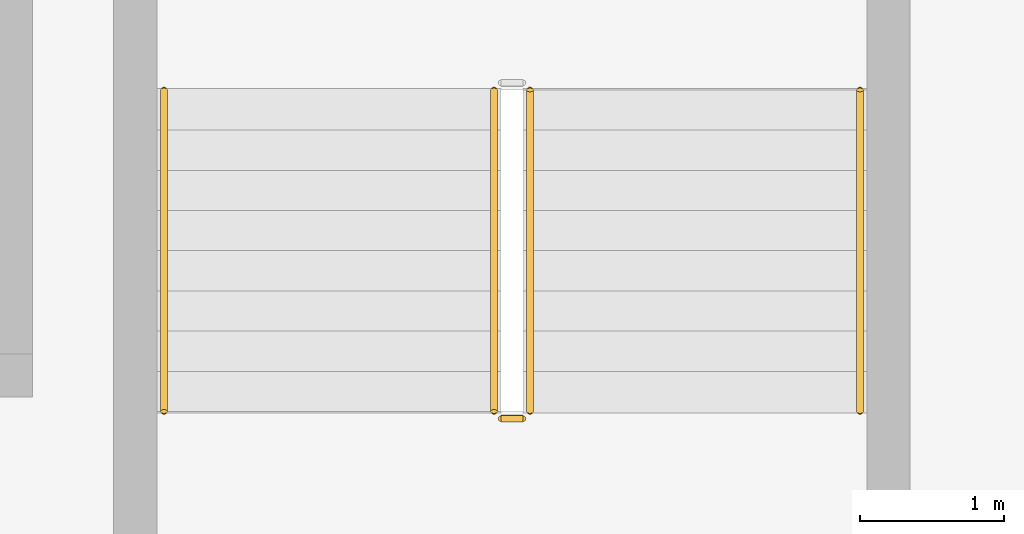
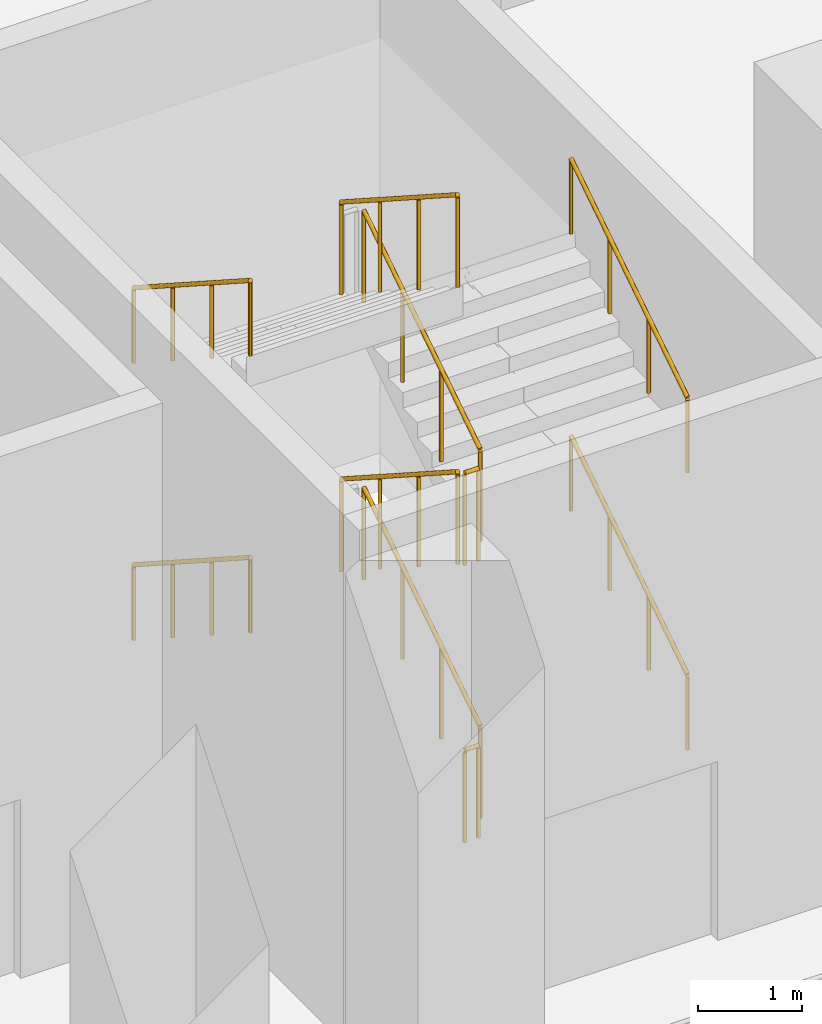
# One storey, part 27 of 30: 10 railings.
"""IFC4 building model written with IfcOpenShell, lengths in metres."""

from ifc_helpers import new_model, si_unit, direction, frame, origin, origin_2d, place, context, subcontext, project, spatial, circle, extrude, material, type_object, element, save


model = new_model("IFC4")

# Units and contexts
model_context = context("Model", 3, precision=1e-05, world=origin(), true_north=direction((0.0, 1.0)))
body_context = subcontext(model_context, "Body", "Model", "MODEL_VIEW")
ifc_project = project(units=[si_unit("LENGTHUNIT", "METRE"), si_unit("AREAUNIT", "SQUARE_METRE"), si_unit("VOLUMEUNIT", "CUBIC_METRE"), si_unit("PLANEANGLEUNIT", "RADIAN"), si_unit("MASSUNIT", "GRAM", prefix="KILO")], contexts=[model_context])

# Site, building, storey
site_placement = place(None, origin())
site = spatial("IfcSite", under=ifc_project, at=site_placement, CompositionType="ELEMENT")
building_placement = place(site_placement, origin())
building = spatial("IfcBuilding", under=site, at=building_placement, Name="Wharfspan Tower", CompositionType="ELEMENT")
storey_placement = place(building_placement, frame((0.0, 0.0, 15.0)))
storey = spatial("IfcBuildingStorey", under=building, at=storey_placement, Name="L02", CompositionType="ELEMENT", Elevation=15.0)

# Railings
ifc_material = material(Name="Steel S355J2", Category="steel")
railing_type_1 = type_object("IfcRailingType", Name="Podium guard 1100", PredefinedType="GUARDRAIL", material=ifc_material)
railing_1_placement = place(storey_placement, frame((74.817383, 30.100098, 0.180664)))
element("IfcRailing", 1, at=railing_1_placement, inside=storey, type_object=railing_type_1, Name="L02 PS5 stair guard 1", PredefinedType="GUARDRAIL", context=body_context, shape_type="SweptSolid", body=[
    extrude(circle(Radius=0.023926, at=origin_2d()), frame((0.0, 0.0, 1.076172), z_axis=(0.0, 0.840437, 0.54191), x_axis=(-1.0, 0.0, 0.0)), (0.0, 0.0, 1.0), 2.665283),
    extrude(circle(Radius=0.020996, at=origin_2d()), origin(), (0.0, 0.0, 1.0), 1.052002),
    extrude(circle(Radius=0.020996, at=origin_2d()), frame((0.0, 0.746582, 0.481445)), (0.0, 0.0, 1.0), 1.052002),
    extrude(circle(Radius=0.020996, at=origin_2d()), frame((0.0, 1.493408, 0.962891)), (0.0, 0.0, 1.0), 1.052002),
    extrude(circle(Radius=0.020996, at=origin_2d()), frame((0.0, 2.23999, 1.444336)), (0.0, 0.0, 1.0), 1.052002),
])
railing_2_placement = place(storey_placement, frame((74.567383, 32.340088, 1.805664)))
element("IfcRailing", 2, at=railing_2_placement, inside=storey, type_object=railing_type_1, Name="L02 PS5 stair guard 3", PredefinedType="GUARDRAIL", context=body_context, shape_type="SweptSolid", body=[
    extrude(circle(Radius=0.023926, at=origin_2d()), frame((0.0, 0.0, 1.076172), z_axis=(0.0, -0.840437, 0.54191), x_axis=(1.0, 0.0, 0.0)), (0.0, 0.0, 1.0), 2.665283),
    extrude(circle(Radius=0.020996, at=origin_2d()), origin(), (0.0, 0.0, 1.0), 1.052002),
    extrude(circle(Radius=0.020996, at=origin_2d()), frame((0.0, -0.746582, 0.481445)), (0.0, 0.0, 1.0), 1.052002),
    extrude(circle(Radius=0.020996, at=origin_2d()), frame((0.0, -1.493408, 0.962891)), (0.0, 0.0, 1.0), 1.052002),
    extrude(circle(Radius=0.020996, at=origin_2d()), frame((0.0, -2.23999, 1.444336)), (0.0, 0.0, 1.0), 1.052002),
])
railing_3_placement = place(storey_placement, frame((74.767578, 30.050049, 3.25)))
element("IfcRailing", 3, at=railing_3_placement, inside=storey, type_object=railing_type_1, Name="L02 PS5 stair guard 4", PredefinedType="GUARDRAIL", context=body_context, shape_type="SweptSolid", body=[
    extrude(circle(Radius=0.023926, at=origin_2d()), frame((0.0, 0.0, 1.076172), z_axis=(-1.0, 0.0, 0.0), x_axis=(0.0, -1.0, 0.0)), (0.0, 0.0, 1.0), 0.150146),
    extrude(circle(Radius=0.020996, at=origin_2d()), origin(), (0.0, 0.0, 1.0), 1.052002),
    extrude(circle(Radius=0.020996, at=origin_2d()), frame((-0.150146, 0.0, 0.0)), (0.0, 0.0, 1.0), 1.052002),
])
railing_4_placement = place(storey_placement, frame((74.817383, 30.100098, 3.430664)))
element("IfcRailing", 4, at=railing_4_placement, inside=storey, type_object=railing_type_1, Name="L02 PS5 stair guard 5", PredefinedType="GUARDRAIL", context=body_context, shape_type="SweptSolid", body=[
    extrude(circle(Radius=0.023926, at=origin_2d()), frame((0.0, 0.0, 1.076172), z_axis=(0.0, 0.840437, 0.54191), x_axis=(-1.0, 0.0, 0.0)), (0.0, 0.0, 1.0), 2.665283),
    extrude(circle(Radius=0.020996, at=origin_2d()), origin(), (0.0, 0.0, 1.0), 1.052002),
    extrude(circle(Radius=0.020996, at=origin_2d()), frame((0.0, 0.746582, 0.481445)), (0.0, 0.0, 1.0), 1.052002),
    extrude(circle(Radius=0.020996, at=origin_2d()), frame((0.0, 1.493408, 0.962891)), (0.0, 0.0, 1.0), 1.052002),
    extrude(circle(Radius=0.020996, at=origin_2d()), frame((0.0, 2.23999, 1.444336)), (0.0, 0.0, 1.0), 1.052002),
])
railing_5_placement = place(storey_placement, frame((74.567383, 32.340088, 5.055664)))
element("IfcRailing", 5, at=railing_5_placement, inside=storey, type_object=railing_type_1, Name="L02 PS5 stair guard 7", PredefinedType="GUARDRAIL", context=body_context, shape_type="SweptSolid", body=[
    extrude(circle(Radius=0.023926, at=origin_2d()), frame((0.0, 0.0, 1.076172), z_axis=(0.0, -0.840437, 0.54191), x_axis=(1.0, 0.0, 0.0)), (0.0, 0.0, 1.0), 2.665283),
    extrude(circle(Radius=0.020996, at=origin_2d()), origin(), (0.0, 0.0, 1.0), 1.052002),
    extrude(circle(Radius=0.020996, at=origin_2d()), frame((0.0, -0.746582, 0.481445)), (0.0, 0.0, 1.0), 1.052002),
    extrude(circle(Radius=0.020996, at=origin_2d()), frame((0.0, -1.493408, 0.962891)), (0.0, 0.0, 1.0), 1.052002),
    extrude(circle(Radius=0.020996, at=origin_2d()), frame((0.0, -2.23999, 1.444336)), (0.0, 0.0, 1.0), 1.052002),
])
railing_6_placement = place(storey_placement, frame((74.767578, 30.050049, 0.0)))
element("IfcRailing", 6, at=railing_6_placement, inside=storey, type_object=railing_type_1, Name="L02 PS5 stair guard 8", PredefinedType="GUARDRAIL", context=body_context, shape_type="SweptSolid", body=[
    extrude(circle(Radius=0.023926, at=origin_2d()), frame((0.0, 0.0, 1.076172), z_axis=(-1.0, 0.0, 0.0), x_axis=(0.0, -1.0, 0.0)), (0.0, 0.0, 1.0), 0.150146),
    extrude(circle(Radius=0.020996, at=origin_2d()), origin(), (0.0, 0.0, 1.0), 1.052002),
    extrude(circle(Radius=0.020996, at=origin_2d()), frame((-0.150146, 0.0, 0.0)), (0.0, 0.0, 1.0), 1.052002),
])
railing_type_2 = type_object("IfcRailingType", Name="Podium stair handrail 900", PredefinedType="HANDRAIL", material=ifc_material)
railing_7_placement = place(storey_placement, frame((77.117432, 30.100098, 0.180664)))
element("IfcRailing", 7, at=railing_7_placement, inside=storey, type_object=railing_type_2, Name="L02 PS5 stair handrail 1", PredefinedType="HANDRAIL", context=body_context, shape_type="SweptSolid", body=[
    extrude(circle(Radius=0.023926, at=origin_2d()), frame((0.0, 0.0, 0.875977), z_axis=(0.0, 0.840437, 0.54191), x_axis=(-1.0, 0.0, 0.0)), (0.0, 0.0, 1.0), 2.665283),
    extrude(circle(Radius=0.020996, at=origin_2d()), origin(), (0.0, 0.0, 1.0), 0.851807),
    extrude(circle(Radius=0.020996, at=origin_2d()), frame((0.0, 0.746582, 0.481445)), (0.0, 0.0, 1.0), 0.851807),
    extrude(circle(Radius=0.020996, at=origin_2d()), frame((0.0, 1.493408, 0.962891)), (0.0, 0.0, 1.0), 0.851807),
    extrude(circle(Radius=0.020996, at=origin_2d()), frame((0.0, 2.23999, 1.444336)), (0.0, 0.0, 1.0), 0.851807),
])
railing_8_placement = place(storey_placement, frame((72.267578, 32.340088, 1.805664)))
element("IfcRailing", 8, at=railing_8_placement, inside=storey, type_object=railing_type_2, Name="L02 PS5 stair handrail 2", PredefinedType="HANDRAIL", context=body_context, shape_type="SweptSolid", body=[
    extrude(circle(Radius=0.023926, at=origin_2d()), frame((0.0, 0.0, 0.875977), z_axis=(0.0, -0.840437, 0.54191), x_axis=(1.0, 0.0, 0.0)), (0.0, 0.0, 1.0), 2.665283),
    extrude(circle(Radius=0.020996, at=origin_2d()), origin(), (0.0, 0.0, 1.0), 0.851807),
    extrude(circle(Radius=0.020996, at=origin_2d()), frame((0.0, -0.746582, 0.481445)), (0.0, 0.0, 1.0), 0.851807),
    extrude(circle(Radius=0.020996, at=origin_2d()), frame((0.0, -1.493408, 0.962891)), (0.0, 0.0, 1.0), 0.851807),
    extrude(circle(Radius=0.020996, at=origin_2d()), frame((0.0, -2.23999, 1.444336)), (0.0, 0.0, 1.0), 0.851807),
])
railing_9_placement = place(storey_placement, frame((77.117432, 30.100098, 3.430664)))
element("IfcRailing", 9, at=railing_9_placement, inside=storey, type_object=railing_type_2, Name="L02 PS5 stair handrail 3", PredefinedType="HANDRAIL", context=body_context, shape_type="SweptSolid", body=[
    extrude(circle(Radius=0.023926, at=origin_2d()), frame((0.0, 0.0, 0.875977), z_axis=(0.0, 0.840437, 0.54191), x_axis=(-1.0, 0.0, 0.0)), (0.0, 0.0, 1.0), 2.665283),
    extrude(circle(Radius=0.020996, at=origin_2d()), origin(), (0.0, 0.0, 1.0), 0.851807),
    extrude(circle(Radius=0.020996, at=origin_2d()), frame((0.0, 0.746582, 0.481445)), (0.0, 0.0, 1.0), 0.851807),
    extrude(circle(Radius=0.020996, at=origin_2d()), frame((0.0, 1.493408, 0.962891)), (0.0, 0.0, 1.0), 0.851807),
    extrude(circle(Radius=0.020996, at=origin_2d()), frame((0.0, 2.23999, 1.444336)), (0.0, 0.0, 1.0), 0.851807),
])
railing_10_placement = place(storey_placement, frame((72.267578, 32.340088, 5.055664)))
element("IfcRailing", 10, at=railing_10_placement, inside=storey, type_object=railing_type_2, Name="L02 PS5 stair handrail 4", PredefinedType="HANDRAIL", context=body_context, shape_type="SweptSolid", body=[
    extrude(circle(Radius=0.023926, at=origin_2d()), frame((0.0, 0.0, 0.875977), z_axis=(0.0, -0.840437, 0.54191), x_axis=(1.0, 0.0, 0.0)), (0.0, 0.0, 1.0), 2.665283),
    extrude(circle(Radius=0.020996, at=origin_2d()), origin(), (0.0, 0.0, 1.0), 0.851807),
    extrude(circle(Radius=0.020996, at=origin_2d()), frame((0.0, -0.746582, 0.481445)), (0.0, 0.0, 1.0), 0.851807),
    extrude(circle(Radius=0.020996, at=origin_2d()), frame((0.0, -1.493408, 0.962891)), (0.0, 0.0, 1.0), 0.851807),
    extrude(circle(Radius=0.020996, at=origin_2d()), frame((0.0, -2.23999, 1.444336)), (0.0, 0.0, 1.0), 0.851807),
])

save(model, "model.ifc")
